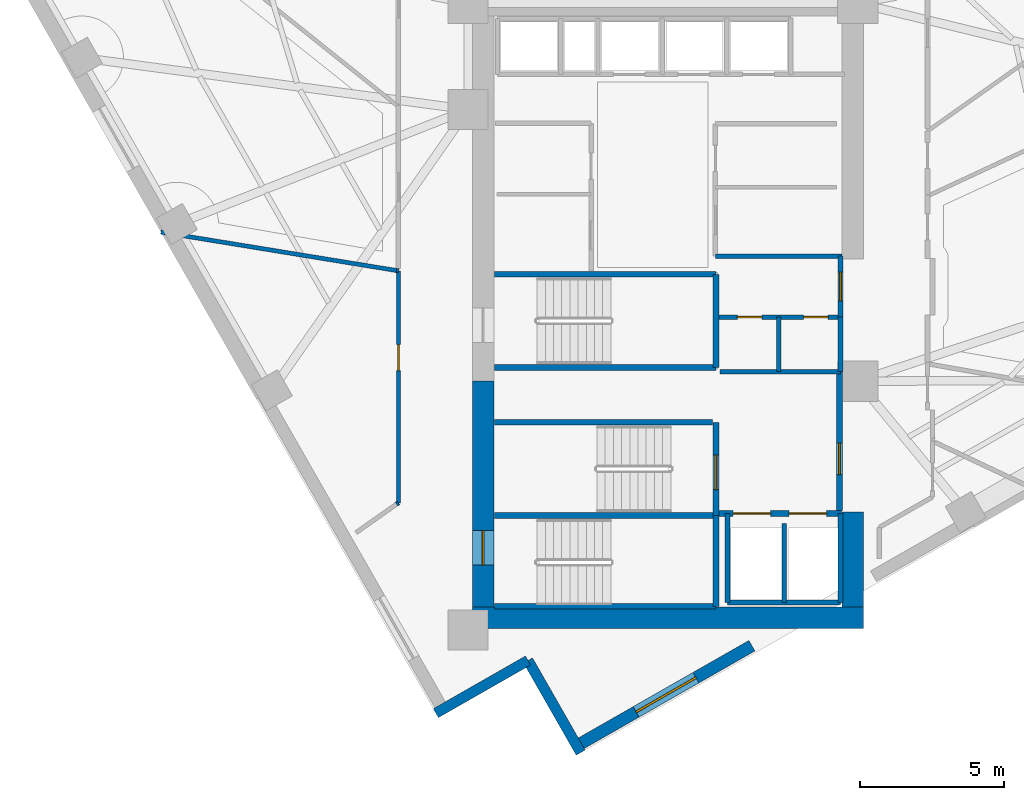
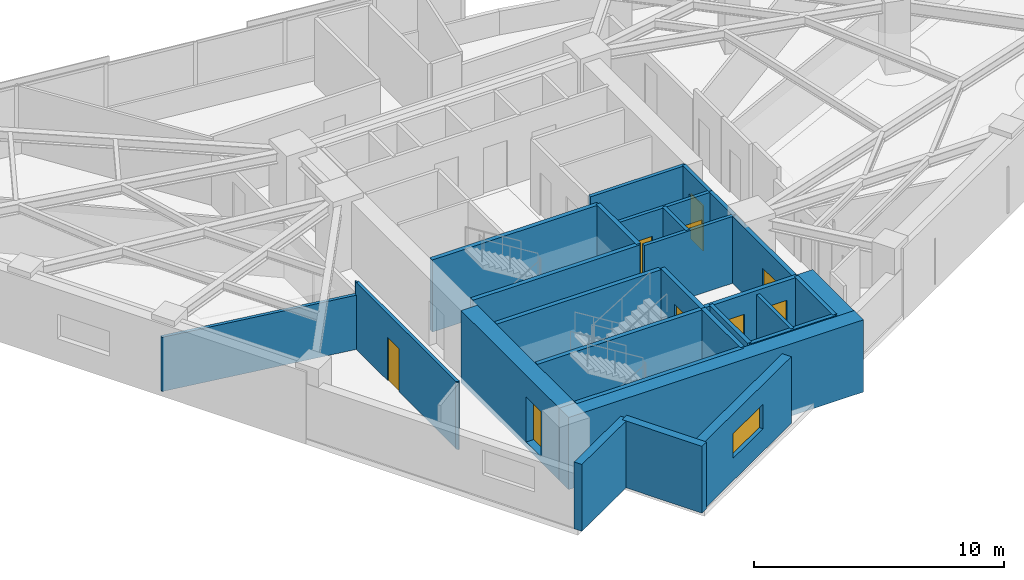
# One storey, part 9 of 14: 30 walls, 9 doors, 1 window, 10 openings.
"""IFC4 building model written with IfcOpenShell, lengths in metres."""

from ifc_helpers import new_model, si_unit, direction, frame, frame_2d, origin, place, context, subcontext, project, spatial, rectangle, extrude, material, layer, layer_set, type_object, element, fill, save


model = new_model("IFC4")

# Units and contexts
model_context = context("Model", 3, precision=1e-05, world=origin(), true_north=direction((0.0, 1.0)))
body_context = subcontext(model_context, "Body", "Model", "MODEL_VIEW")
ifc_project = project(units=[si_unit("LENGTHUNIT", "METRE"), si_unit("AREAUNIT", "SQUARE_METRE"), si_unit("VOLUMEUNIT", "CUBIC_METRE"), si_unit("PLANEANGLEUNIT", "RADIAN"), si_unit("MASSUNIT", "GRAM", prefix="KILO")], contexts=[model_context])

# Site, building, storey
site_placement = place(None, origin())
site = spatial("IfcSite", under=ifc_project, at=site_placement, CompositionType="ELEMENT")
building_placement = place(site_placement, origin())
building = spatial("IfcBuilding", under=site, at=building_placement, Name="Narakoshi Arena Tower", CompositionType="ELEMENT")
storey_placement = place(building_placement, frame((0.0, 0.0, 207.93994140625)))
storey = spatial("IfcBuildingStorey", under=building, at=storey_placement, Name="L56", CompositionType="ELEMENT", Elevation=207.93994140625)

# Wall, opening, door
ifc_material_1 = material(Name="Concrete C50/60", Category="concrete")
ifc_layer_1 = layer(ifc_material_1, 0.75)
ifc_layer_set_1 = layer_set([ifc_layer_1], Name="Concrete C50/60")
wall_type_1 = type_object("IfcWallType", Name="WL-CORE-750", PredefinedType="SHEAR", material=ifc_layer_set_1)
wall_1_placement = place(storey_placement, frame((72.52490234375, 35.5, -0.260009765625), z_axis=(0.0, 0.0, 1.0), x_axis=(0.0, 1.0, 0.0)))
wall_1 = element("IfcWall", 1, at=wall_1_placement, inside=storey, type_object=wall_type_1, Name="L56 Central Core Shear Wall CW-APX-W", PredefinedType="SHEAR", context=body_context, shape_type="SweptSolid", body=[
    extrude(rectangle(XDim=7.85009765625, YDim=0.75, at=frame_2d((3.925048828125, 0.0))), origin(), (0.0, 0.0, 1.0), 3.52001953125),
])
opening_1_placement = place(wall_1_placement, frame((1.449951171875, 0.0, 0.260009765625)))
opening_1 = element("IfcOpeningElement", 2, at=opening_1_placement, cuts=wall_1, Name="Opening D-03", PredefinedType="OPENING", context=body_context, shape_type="SweptSolid", body=[
    extrude(rectangle(XDim=1.199951171875, YDim=2.199951171875, at=frame_2d((0.60009765625, 1.10009765625))), frame((0.0, 0.385009765625, 0.0), z_axis=(0.0, -1.0, 0.0), x_axis=(1.0, 0.0, 0.0)), (0.0, 0.0, 1.0), 0.77001953125),
])
ifc_material_2 = material(Name="Painted galvanized steel", Category="steel")
door_type_1 = type_object("IfcDoorType", Name="DR-STR-1200", OperationType="NOTDEFINED", PredefinedType="USERDEFINED", material=ifc_material_2)
door_1_placement = place(opening_1_placement, frame((1.199951171875, 0.0, 0.0), z_axis=(0.0, 0.0, 1.0), x_axis=(-1.0, 0.0, 0.0)))
door_1 = element("IfcDoor", 3, at=door_1_placement, inside=storey, type_object=door_type_1, Name="DR-L56-001", ObjectType="EXITDOOR", OperationType="SINGLE_SWING_LEFT", OverallHeight=2.199951171875, OverallWidth=1.199951171875, PredefinedType="USERDEFINED", context=body_context, shape_type="SweptSolid", body=[
    extrude(rectangle(XDim=1.199951171875, YDim=2.199951171875, at=frame_2d((0.60009765625, 1.10009765625))), frame((0.0, 0.02490234375, 0.0), z_axis=(0.0, -1.0, 0.0), x_axis=(1.0, 0.0, 0.0)), (0.0, 0.0, 1.0), 0.050048828125),
])
fill(opening_1, door_1)

# Walls
wall_2_placement = place(storey_placement, frame((72.14990234375, 35.125, -0.260009765625), z_axis=(0.0, 0.0, 1.0), x_axis=(1.0, 0.0, 0.0)))
element("IfcWall", 4, at=wall_2_placement, inside=storey, type_object=wall_type_1, Name="L56 Central Core Shear Wall CW-APX-S", PredefinedType="SHEAR", context=body_context, shape_type="SweptSolid", body=[
    extrude(rectangle(XDim=13.60009765625, YDim=0.75, at=frame_2d((6.800048828125, 0.0))), origin(), (0.0, 0.0, 1.0), 3.52001953125),
])
wall_3_placement = place(storey_placement, frame((85.375, 35.5, -0.260009765625), z_axis=(0.0, 0.0, 1.0), x_axis=(0.0, 1.0, 0.0)))
element("IfcWall", 5, at=wall_3_placement, inside=storey, type_object=wall_type_1, Name="L56 Central Core Shear Wall CW-APX-E", PredefinedType="SHEAR", context=body_context, shape_type="SweptSolid", body=[
    extrude(rectangle(XDim=3.300048828125, YDim=0.75, at=frame_2d((1.64990234375, 0.0))), origin(), (0.0, 0.0, 1.0), 3.52001953125),
])

# Wall, opening, door
ifc_material_3 = material(Name="Gypsum plasterboard fire-rated partition")
ifc_layer_2 = layer(ifc_material_3, 0.1650390625)
ifc_layer_set_2 = layer_set([ifc_layer_2], Name="Gypsum plasterboard fire-rated partition")
wall_type_2 = type_object("IfcWallType", Name="WL-CORR-165", PredefinedType="PARTITIONING", material=ifc_layer_set_2)
wall_4_placement = place(storey_placement, frame((84.949951171875, 45.580078125, 0.0), z_axis=(0.0, 0.0, 1.0), x_axis=(0.0, 1.0, 0.0)))
wall_4 = element("IfcWall", 6, at=wall_4_placement, inside=storey, type_object=wall_type_2, Name="L56 Core Wall CPAS-E", PredefinedType="PARTITIONING", context=body_context, shape_type="SweptSolid", body=[
    extrude(rectangle(XDim=2.119873046875, YDim=0.1650390625, at=frame_2d((1.06005859375, 0.0))), origin(), (0.0, 0.0, 1.0), 3.260009765625),
])
opening_2_placement = place(wall_4_placement, frame((0.56005859375, 0.0, 0.0)))
opening_2 = element("IfcOpeningElement", 7, at=opening_2_placement, cuts=wall_4, Name="Opening D-06", PredefinedType="OPENING", context=body_context, shape_type="SweptSolid", body=[
    extrude(rectangle(XDim=1.0, YDim=2.199951171875, at=frame_2d((0.5, 1.10009765625))), frame((0.0, 0.092529296875, 0.0), z_axis=(0.0, -1.0, 0.0), x_axis=(1.0, 0.0, 0.0)), (0.0, 0.0, 1.0), 0.18505859375),
])
ifc_material_4 = material(Name="Stained oak solid-core timber", Category="wood")
door_type_2 = type_object("IfcDoorType", Name="DR-OFF-1000", OperationType="NOTDEFINED", PredefinedType="DOOR", material=ifc_material_4)
door_2_placement = place(opening_2_placement, frame((1.0, 0.0, 0.0), z_axis=(0.0, 0.0, 1.0), x_axis=(-1.0, 0.0, 0.0)))
door_2 = element("IfcDoor", 8, at=door_2_placement, inside=storey, type_object=door_type_2, Name="DR-L56-007", OperationType="SINGLE_SWING_LEFT", OverallHeight=2.199951171875, OverallWidth=1.0, PredefinedType="DOOR", context=body_context, shape_type="SweptSolid", body=[
    extrude(rectangle(XDim=1.0, YDim=2.199951171875, at=frame_2d((0.5, 1.10009765625))), frame((0.0, 0.02490234375, 0.0), z_axis=(0.0, -1.0, 0.0), x_axis=(1.0, 0.0, 0.0)), (0.0, 0.0, 1.0), 0.050048828125),
])
fill(opening_2, door_2)

# Wall, opening, window
ifc_material_5 = material(Name="Precast concrete C45/55", Category="concrete")
ifc_layer_3 = layer(ifc_material_5, 0.419921875)
ifc_layer_set_3 = layer_set([ifc_layer_3], Name="Precast concrete C45/55")
wall_type_3 = type_object("IfcWallType", Name="WL-POD-420", PredefinedType="SOLIDWALL", material=ifc_layer_set_3)
wall_5_placement = place(storey_placement, frame((75.779296875, 30.6689453125, 0.0), z_axis=(0.0, 0.0, 1.0), x_axis=(0.868213158215, 0.496191406519, 0.0)))
wall_5 = element("IfcWall", 9, at=wall_5_placement, inside=storey, type_object=wall_type_3, Name="L56 Architectural Concrete Facade Wall LEGA-1", PredefinedType="SOLIDWALL", context=body_context, shape_type="SweptSolid", body=[
    extrude(rectangle(XDim=7.015380859375, YDim=0.419921875, at=frame_2d((3.5078125, 0.0))), origin(), (0.0, 0.0, 1.0), 3.260009765625),
])
opening_3_placement = place(wall_5_placement, frame((2.376708984375, 0.0, 1.10009765625)))
opening_3 = element("IfcOpeningElement", 10, at=opening_3_placement, cuts=wall_5, Name="Opening WN-04", PredefinedType="OPENING", context=body_context, shape_type="SweptSolid", body=[
    extrude(rectangle(XDim=2.39990234375, YDim=1.199951171875, at=frame_2d((1.199951171875, 0.60009765625))), frame((0.0, 0.219970703125, 0.0), z_axis=(0.0, -1.0, 0.0), x_axis=(1.0, 0.0, 0.0)), (0.0, 0.0, 1.0), 0.43994140625),
])
ifc_material_6 = material(Name="Bronze-tinted low-E laminated glass", Category="glass")
window_type = type_object("IfcWindowType", Name="WIN-SLT-24x12", PartitioningType="SINGLE_PANEL", PredefinedType="WINDOW", material=ifc_material_6)
window_placement = place(opening_3_placement, origin())
window = element("IfcWindow", 11, at=window_placement, inside=storey, type_object=window_type, Name="L56 LEGA1 Horizontal Slot Window 1", OverallHeight=1.199951171875, OverallWidth=2.39990234375, PartitioningType="SINGLE_PANEL", PredefinedType="WINDOW", context=body_context, shape_type="SweptSolid", body=[
    extrude(rectangle(XDim=2.39990234375, YDim=1.199951171875, at=frame_2d((1.199951171875, 0.60009765625))), frame((0.0, 0.030029296875, 0.0), z_axis=(0.0, -1.0, 0.0), x_axis=(1.0, 0.0, 0.0)), (0.0, 0.0, 1.0), 0.06005859375),
])
fill(opening_3, window)

# Walls
for number, where, z_axis, x_axis, name in (
    (12, (70.87841796875, 31.803466796875, 0.0), (0.0, 0.0, 1.0), (0.868194304946, 0.496224393656, 0.0), "L56 Re-Entrant Corner Notch Wall NTA-1"),
    (13, (74.083740234375, 33.635498046875, 0.0), (0.0, 0.0, 1.0), (0.496224393656, -0.868194304946, 0.0), "L56 Re-Entrant Corner Notch Wall NTA-2"),
):
    element("IfcWall", number, at=place(storey_placement, frame(where, z_axis=z_axis, x_axis=x_axis)), inside=storey, type_object=wall_type_3, Name=name, PredefinedType="SOLIDWALL", context=body_context, shape_type="SweptSolid", body=[
        extrude(rectangle(XDim=3.69189453125, YDim=0.360107421875, at=frame_2d((1.845947265625, 0.0))), origin(), (0.0, 0.0, 1.0), 3.260009765625),
    ])
ifc_material_7 = material(Name="Concrete C40/50", Category="concrete")
ifc_layer_4 = layer(ifc_material_7, 0.280029296875)
ifc_layer_set_4 = layer_set([ifc_layer_4], Name="Concrete C40/50")
wall_type_4 = type_object("IfcWallType", Name="WL-RISER-280", PredefinedType="PLUMBINGWALL", material=ifc_layer_set_4)
wall_6_placement = place(storey_placement, frame((83.0, 35.64990234375, 0.0), z_axis=(0.0, 0.0, 1.0), x_axis=(0.0, 1.0, 0.0)))
element("IfcWall", 14, at=wall_6_placement, inside=storey, type_object=wall_type_4, Name="L56 Core Wall FF-DIV", PredefinedType="PLUMBINGWALL", context=body_context, shape_type="SweptSolid", body=[
    extrude(rectangle(XDim=2.75, YDim=0.159912109375, at=frame_2d((1.375, 0.0))), origin(), (0.0, 0.0, 1.0), 3.260009765625),
])
wall_7_placement = place(storey_placement, frame((84.949951171875, 43.679931640625, 0.0), z_axis=(0.0, 0.0, 1.0), x_axis=(0.0, 1.0, 0.0)))
element("IfcWall", 15, at=wall_7_placement, inside=storey, type_object=wall_type_4, Name="L56 Core Wall RSR-E", PredefinedType="PLUMBINGWALL", context=body_context, shape_type="SweptSolid", body=[
    extrude(rectangle(XDim=1.900146484375, YDim=0.1650390625, at=frame_2d((0.9501953125, 0.0))), origin(), (0.0, 0.0, 1.0), 3.260009765625),
])

# Wall, openings, doors
wall_8_placement = place(storey_placement, frame((80.719970703125, 45.580078125, 0.0), z_axis=(0.0, 0.0, 1.0), x_axis=(1.0, 0.0, 0.0)))
wall_8 = element("IfcWall", 16, at=wall_8_placement, inside=storey, type_object=wall_type_4, Name="L56 Core Wall RSR-N", PredefinedType="PLUMBINGWALL", context=body_context, shape_type="SweptSolid", body=[
    extrude(rectangle(XDim=4.22998046875, YDim=0.159912109375, at=frame_2d((2.114990234375, 0.0))), origin(), (0.0, 0.0, 1.0), 3.260009765625),
])
opening_4_placement = place(wall_8_placement, frame((0.64990234375, 0.0, 0.0)))
opening_4 = element("IfcOpeningElement", 17, at=opening_4_placement, cuts=wall_8, Name="Opening D-10", PredefinedType="OPENING", context=body_context, shape_type="SweptSolid", body=[
    extrude(rectangle(XDim=0.85009765625, YDim=2.050048828125, at=frame_2d((0.425048828125, 1.02490234375))), frame((0.0, 0.08984375, 0.0), z_axis=(0.0, -1.0, 0.0), x_axis=(1.0, 0.0, 0.0)), (0.0, 0.0, 1.0), 0.179931640625),
])
opening_5_placement = place(wall_8_placement, frame((2.949951171875, 0.0, 0.0)))
opening_5 = element("IfcOpeningElement", 18, at=opening_5_placement, cuts=wall_8, Name="Opening D-10", PredefinedType="OPENING", context=body_context, shape_type="SweptSolid", body=[
    extrude(rectangle(XDim=0.85009765625, YDim=2.050048828125, at=frame_2d((0.425048828125, 1.02490234375))), frame((0.0, 0.08984375, 0.0), z_axis=(0.0, -1.0, 0.0), x_axis=(1.0, 0.0, 0.0)), (0.0, 0.0, 1.0), 0.179931640625),
])
door_type_3 = type_object("IfcDoorType", Name="DR-RSR-850", OperationType="NOTDEFINED", PredefinedType="DOOR", material=ifc_material_2)
door_3_placement = place(opening_4_placement, frame((0.85009765625, 0.0, 0.0), z_axis=(0.0, 0.0, 1.0), x_axis=(-1.0, 0.0, 0.0)))
door_3 = element("IfcDoor", 19, at=door_3_placement, inside=storey, type_object=door_type_3, Name="DR-L56-008", OperationType="SINGLE_SWING_LEFT", OverallHeight=2.050048828125, OverallWidth=0.85009765625, PredefinedType="DOOR", context=body_context, shape_type="SweptSolid", body=[
    extrude(rectangle(XDim=0.85009765625, YDim=2.050048828125, at=frame_2d((0.425048828125, 1.02490234375))), frame((0.0, 0.02490234375, 0.0), z_axis=(0.0, -1.0, 0.0), x_axis=(1.0, 0.0, 0.0)), (0.0, 0.0, 1.0), 0.050048828125),
])
fill(opening_4, door_3)
door_4_placement = place(opening_5_placement, frame((0.85009765625, 0.0, 0.0), z_axis=(0.0, 0.0, 1.0), x_axis=(-1.0, 0.0, 0.0)))
door_4 = element("IfcDoor", 20, at=door_4_placement, inside=storey, type_object=door_type_3, Name="DR-L56-009", OperationType="SINGLE_SWING_RIGHT", OverallHeight=2.050048828125, OverallWidth=0.85009765625, PredefinedType="DOOR", context=body_context, shape_type="SweptSolid", body=[
    extrude(rectangle(XDim=0.85009765625, YDim=2.050048828125, at=frame_2d((0.425048828125, 1.02490234375))), frame((0.0, 0.02490234375, 0.0), z_axis=(0.0, -1.0, 0.0), x_axis=(1.0, 0.0, 0.0)), (0.0, 0.0, 1.0), 0.050048828125),
])
fill(opening_5, door_4)

# Walls
wall_9_placement = place(storey_placement, frame((80.760009765625, 43.679931640625, 0.0), z_axis=(0.0, 0.0, 1.0), x_axis=(1.0, 0.0, 0.0)))
element("IfcWall", 21, at=wall_9_placement, inside=storey, type_object=wall_type_4, Name="L56 Core Wall RSR-S", PredefinedType="PLUMBINGWALL", context=body_context, shape_type="SweptSolid", body=[
    extrude(rectangle(XDim=4.18994140625, YDim=0.159912109375, at=frame_2d((2.094970703125, 0.0))), origin(), (0.0, 0.0, 1.0), 3.260009765625),
])
wall_10_placement = place(storey_placement, frame((82.800048828125, 43.679931640625, 0.0), z_axis=(0.0, 0.0, 1.0), x_axis=(0.0, 1.0, 0.0)))
element("IfcWall", 22, at=wall_10_placement, inside=storey, type_object=wall_type_4, Name="L56 Core Wall RSR-M", PredefinedType="PLUMBINGWALL", context=body_context, shape_type="SweptSolid", body=[
    extrude(rectangle(XDim=1.900146484375, YDim=0.159912109375, at=frame_2d((0.9501953125, 0.0))), origin(), (0.0, 0.0, 1.0), 3.260009765625),
])
ifc_layer_5 = layer(ifc_material_1, 0.35009765625)
ifc_layer_set_5 = layer_set([ifc_layer_5], Name="Concrete C50/60")
wall_type_5 = type_object("IfcWallType", Name="WL-SHAFT-350", PredefinedType="SOLIDWALL", material=ifc_layer_set_5)
for number, where, z_axis, x_axis, name in (
    (23, (72.919921875, 35.52001953125, -0.260009765625), (0.0, 0.0, 1.0), (1.0, 0.0, 0.0), "L56 Core Wall ST1-S"),
    (24, (72.919921875, 38.675048828125, -0.260009765625), (0.0, 0.0, 1.0), (1.0, 0.0, 0.0), "L56 Core Wall ST12-DIV"),
):
    element("IfcWall", number, at=place(storey_placement, frame(where, z_axis=z_axis, x_axis=x_axis)), inside=storey, type_object=wall_type_5, Name=name, PredefinedType="SOLIDWALL", context=body_context, shape_type="SweptSolid", body=[
        extrude(rectangle(XDim=7.7001953125, YDim=0.199951171875, at=frame_2d((3.85009765625, 0.0))), origin(), (0.0, 0.0, 1.0), 3.52001953125),
    ])
wall_11_placement = place(storey_placement, frame((80.6201171875, 35.52001953125, -0.260009765625), z_axis=(0.0, 0.0, 1.0), x_axis=(0.0, 1.0, 0.0)))
element("IfcWall", 25, at=wall_11_placement, inside=storey, type_object=wall_type_5, Name="L56 Core Wall ST1-E", PredefinedType="SOLIDWALL", context=body_context, shape_type="SweptSolid", body=[
    extrude(rectangle(XDim=3.155029296875, YDim=0.199951171875, at=frame_2d((1.57763671875, 0.0))), origin(), (0.0, 0.0, 1.0), 3.52001953125),
])

# Wall, opening, door
wall_12_placement = place(storey_placement, frame((80.6201171875, 38.675048828125, -0.260009765625), z_axis=(0.0, 0.0, 1.0), x_axis=(0.0, 1.0, 0.0)))
wall_12 = element("IfcWall", 26, at=wall_12_placement, inside=storey, type_object=wall_type_5, Name="L56 Core Wall ST2-E", PredefinedType="SOLIDWALL", context=body_context, shape_type="SweptSolid", body=[
    extrude(rectangle(XDim=3.244873046875, YDim=0.199951171875, at=frame_2d((1.62255859375, 0.0))), origin(), (0.0, 0.0, 1.0), 3.52001953125),
])
opening_6_placement = place(wall_12_placement, frame((0.89990234375, 0.0, 0.260009765625)))
opening_6 = element("IfcOpeningElement", 27, at=opening_6_placement, cuts=wall_12, Name="Opening D-03", PredefinedType="OPENING", context=body_context, shape_type="SweptSolid", body=[
    extrude(rectangle(XDim=1.199951171875, YDim=2.199951171875, at=frame_2d((0.60009765625, 1.10009765625))), frame((0.0, 0.10986328125, 0.0), z_axis=(0.0, -1.0, 0.0), x_axis=(1.0, 0.0, 0.0)), (0.0, 0.0, 1.0), 0.219970703125),
])
door_5_placement = place(opening_6_placement, origin())
door_5 = element("IfcDoor", 28, at=door_5_placement, inside=storey, type_object=door_type_1, Name="DR-L56-002", ObjectType="EXITDOOR", OperationType="SINGLE_SWING_RIGHT", OverallHeight=2.199951171875, OverallWidth=1.199951171875, PredefinedType="USERDEFINED", context=body_context, shape_type="SweptSolid", body=[
    extrude(rectangle(XDim=1.199951171875, YDim=2.199951171875, at=frame_2d((0.60009765625, 1.10009765625))), frame((0.0, 0.02490234375, 0.0), z_axis=(0.0, -1.0, 0.0), x_axis=(1.0, 0.0, 0.0)), (0.0, 0.0, 1.0), 0.050048828125),
])
fill(opening_6, door_5)

# Wall, openings, doors
wall_13_placement = place(storey_placement, frame((80.719970703125, 38.75, 0.0), z_axis=(0.0, 0.0, 1.0), x_axis=(1.0, 0.0, 0.0)))
wall_13 = element("IfcWall", 29, at=wall_13_placement, inside=storey, type_object=wall_type_5, Name="L56 Core Wall FF-N", PredefinedType="SOLIDWALL", context=body_context, shape_type="SweptSolid", body=[
    extrude(rectangle(XDim=4.260009765625, YDim=0.199951171875, at=frame_2d((2.1298828125, 0.0))), origin(), (0.0, 0.0, 1.0), 3.260009765625),
])
opening_7_placement = place(wall_13_placement, frame((0.5, 0.0, 0.0)))
opening_7 = element("IfcOpeningElement", 30, at=opening_7_placement, cuts=wall_13, Name="Opening LD-02", PredefinedType="OPENING", context=body_context, shape_type="SweptSolid", body=[
    extrude(rectangle(XDim=1.300048828125, YDim=2.300048828125, at=frame_2d((0.64990234375, 1.14990234375))), frame((0.0, 0.10986328125, 0.0), z_axis=(0.0, -1.0, 0.0), x_axis=(1.0, 0.0, 0.0)), (0.0, 0.0, 1.0), 0.219970703125),
])
opening_8_placement = place(wall_13_placement, frame((2.449951171875, 0.0, 0.0)))
opening_8 = element("IfcOpeningElement", 31, at=opening_8_placement, cuts=wall_13, Name="Opening LD-02", PredefinedType="OPENING", context=body_context, shape_type="SweptSolid", body=[
    extrude(rectangle(XDim=1.300048828125, YDim=2.300048828125, at=frame_2d((0.64990234375, 1.14990234375))), frame((0.0, 0.10986328125, 0.0), z_axis=(0.0, -1.0, 0.0), x_axis=(1.0, 0.0, 0.0)), (0.0, 0.0, 1.0), 0.219970703125),
])
ifc_material_8 = material(Name="Brushed bronze stainless steel", Category="steel")
door_type_4 = type_object("IfcDoorType", Name="DR-LFT-1300", OperationType="DOUBLE_DOOR_SLIDING", PredefinedType="DOOR", material=ifc_material_8)
door_6_placement = place(opening_7_placement, origin())
door_6 = element("IfcDoor", 32, at=door_6_placement, inside=storey, type_object=door_type_4, Name="DR-L56-003", OperationType="DOUBLE_DOOR_SLIDING", OverallHeight=2.300048828125, OverallWidth=1.300048828125, PredefinedType="DOOR", context=body_context, shape_type="SweptSolid", body=[
    extrude(rectangle(XDim=1.300048828125, YDim=2.300048828125, at=frame_2d((0.64990234375, 1.14990234375))), frame((0.0, 0.02490234375, 0.0), z_axis=(0.0, -1.0, 0.0), x_axis=(1.0, 0.0, 0.0)), (0.0, 0.0, 1.0), 0.050048828125),
])
fill(opening_7, door_6)
door_7_placement = place(opening_8_placement, origin())
door_7 = element("IfcDoor", 33, at=door_7_placement, inside=storey, type_object=door_type_4, Name="DR-L56-004", OperationType="DOUBLE_DOOR_SLIDING", OverallHeight=2.300048828125, OverallWidth=1.300048828125, PredefinedType="DOOR", context=body_context, shape_type="SweptSolid", body=[
    extrude(rectangle(XDim=1.300048828125, YDim=2.300048828125, at=frame_2d((0.64990234375, 1.14990234375))), frame((0.0, 0.02490234375, 0.0), z_axis=(0.0, -1.0, 0.0), x_axis=(1.0, 0.0, 0.0)), (0.0, 0.0, 1.0), 0.050048828125),
])
fill(opening_8, door_7)

# Walls
for number, where, z_axis, x_axis, name in (
    (34, (84.949951171875, 35.64990234375, 0.0), (0.0, 0.0, 1.0), (0.0, 1.0, 0.0), "L56 Core Wall FF-E"),
    (35, (81.02001953125, 35.64990234375, 0.0), (0.0, 0.0, 1.0), (0.0, 1.0, 0.0), "L56 Core Wall FF-W"),
):
    element("IfcWall", number, at=place(storey_placement, frame(where, z_axis=z_axis, x_axis=x_axis)), inside=storey, type_object=wall_type_5, Name=name, PredefinedType="SOLIDWALL", context=body_context, shape_type="SweptSolid", body=[
        extrude(rectangle(XDim=3.10009765625, YDim=0.179931640625, at=frame_2d((1.550048828125, 0.0))), origin(), (0.0, 0.0, 1.0), 3.260009765625),
    ])
wall_14_placement = place(storey_placement, frame((81.02001953125, 35.64990234375, 0.0), z_axis=(0.0, 0.0, 1.0), x_axis=(1.0, 0.0, 0.0)))
element("IfcWall", 36, at=wall_14_placement, inside=storey, type_object=wall_type_5, Name="L56 Core Wall FF-S", PredefinedType="SOLIDWALL", context=body_context, shape_type="SweptSolid", body=[
    extrude(rectangle(XDim=3.929931640625, YDim=0.179931640625, at=frame_2d((1.96484375, 0.0))), origin(), (0.0, 0.0, 1.0), 3.260009765625),
])

# Wall, opening, door
wall_15_placement = place(storey_placement, frame((84.919921875, 38.85009765625, 0.0), z_axis=(0.0, 0.0, 1.0), x_axis=(0.0, 1.0, 0.0)))
wall_15 = element("IfcWall", 37, at=wall_15_placement, inside=storey, type_object=wall_type_5, Name="L56 Core Wall FFLOB-E", PredefinedType="SOLIDWALL", context=body_context, shape_type="SweptSolid", body=[
    extrude(rectangle(XDim=4.829833984375, YDim=0.199951171875, at=frame_2d((2.4150390625, 0.0))), origin(), (0.0, 0.0, 1.0), 3.260009765625),
])
opening_9_placement = place(wall_15_placement, frame((1.25, 0.0, 0.0)))
opening_9 = element("IfcOpeningElement", 38, at=opening_9_placement, cuts=wall_15, Name="Opening D-04", PredefinedType="OPENING", context=body_context, shape_type="SweptSolid", body=[
    extrude(rectangle(XDim=1.10009765625, YDim=2.199951171875, at=frame_2d((0.550048828125, 1.10009765625))), frame((0.0, 0.10986328125, 0.0), z_axis=(0.0, -1.0, 0.0), x_axis=(1.0, 0.0, 0.0)), (0.0, 0.0, 1.0), 0.219970703125),
])
door_type_5 = type_object("IfcDoorType", Name="DR-FFL-1100", OperationType="NOTDEFINED", PredefinedType="DOOR", material=ifc_material_2)
door_8_placement = place(opening_9_placement, frame((1.10009765625, 0.0, 0.0), z_axis=(0.0, 0.0, 1.0), x_axis=(-1.0, 0.0, 0.0)))
door_8 = element("IfcDoor", 39, at=door_8_placement, inside=storey, type_object=door_type_5, Name="DR-L56-005", OperationType="SINGLE_SWING_RIGHT", OverallHeight=2.199951171875, OverallWidth=1.10009765625, PredefinedType="DOOR", context=body_context, shape_type="SweptSolid", body=[
    extrude(rectangle(XDim=1.10009765625, YDim=2.199951171875, at=frame_2d((0.550048828125, 1.10009765625))), frame((0.0, 0.02490234375, 0.0), z_axis=(0.0, -1.0, 0.0), x_axis=(1.0, 0.0, 0.0)), (0.0, 0.0, 1.0), 0.050048828125),
])
fill(opening_9, door_8)

# Walls
wall_16_placement = place(storey_placement, frame((72.919921875, 41.919921875, -0.260009765625), z_axis=(0.0, 0.0, 1.0), x_axis=(1.0, 0.0, 0.0)))
element("IfcWall", 40, at=wall_16_placement, inside=storey, type_object=wall_type_5, Name="L56 Core Wall ST2-N", PredefinedType="SOLIDWALL", context=body_context, shape_type="SweptSolid", body=[
    extrude(rectangle(XDim=7.580078125, YDim=0.199951171875, at=frame_2d((3.7900390625, 0.0))), origin(), (0.0, 0.0, 1.0), 3.52001953125),
])
for number, where, z_axis, x_axis, name in (
    (41, (72.919921875, 43.830078125, -0.260009765625), (0.0, 0.0, 1.0), (1.0, 0.0, 0.0), "L56 Core Wall ST3-S"),
    (42, (72.919921875, 47.070068359375, -0.260009765625), (0.0, 0.0, 1.0), (1.0, 0.0, 0.0), "L56 Core Wall ST3-N"),
):
    element("IfcWall", number, at=place(storey_placement, frame(where, z_axis=z_axis, x_axis=x_axis)), inside=storey, type_object=wall_type_5, Name=name, PredefinedType="SOLIDWALL", context=body_context, shape_type="SweptSolid", body=[
        extrude(rectangle(XDim=7.7001953125, YDim=0.199951171875, at=frame_2d((3.85009765625, 0.0))), origin(), (0.0, 0.0, 1.0), 3.52001953125),
    ])
wall_17_placement = place(storey_placement, frame((80.6201171875, 43.830078125, -0.260009765625), z_axis=(0.0, 0.0, 1.0), x_axis=(0.0, 1.0, 0.0)))
element("IfcWall", 43, at=wall_17_placement, inside=storey, type_object=wall_type_5, Name="L56 Core Wall ST3-E", PredefinedType="SOLIDWALL", context=body_context, shape_type="SweptSolid", body=[
    extrude(rectangle(XDim=3.239990234375, YDim=0.199951171875, at=frame_2d((1.6201171875, 0.0))), origin(), (0.0, 0.0, 1.0), 3.52001953125),
])
wall_18_placement = place(storey_placement, frame((80.60009765625, 47.699951171875, 0.0), z_axis=(0.0, 0.0, 1.0), x_axis=(1.0, 0.0, 0.0)))
element("IfcWall", 44, at=wall_18_placement, inside=storey, type_object=wall_type_5, Name="L56 Core Wall MR-S", PredefinedType="SOLIDWALL", context=body_context, shape_type="SweptSolid", body=[
    extrude(rectangle(XDim=4.39990234375, YDim=0.159912109375, at=frame_2d((2.199951171875, 0.0))), origin(), (0.0, 0.0, 1.0), 3.260009765625),
])

# Wall, opening, door
ifc_material_9 = material(Name="Moisture-resistant cement-board partition")
ifc_layer_6 = layer(ifc_material_9, 0.14501953125)
ifc_layer_set_6 = layer_set([ifc_layer_6], Name="Moisture-resistant cement-board partition")
wall_type_6 = type_object("IfcWallType", Name="WL-WET-145", PredefinedType="PARTITIONING", material=ifc_layer_set_6)
wall_19_placement = place(storey_placement, frame((69.573486328125, 47.189697265625, 0.0), z_axis=(0.0, 0.0, 1.0), x_axis=(0.0, -1.0, 0.0)))
wall_19 = element("IfcWall", 45, at=wall_19_placement, inside=storey, type_object=wall_type_6, Name="L56 Corridor Partition 01-1", PredefinedType="PARTITIONING", context=body_context, shape_type="SweptSolid", body=[
    extrude(rectangle(XDim=8.071533203125, YDim=0.14501953125, at=frame_2d((4.03564453125, 0.0))), origin(), (0.0, 0.0, 1.0), 3.260009765625),
])
opening_10_placement = place(wall_19_placement, frame((2.570068359375, 0.0, 0.0)))
opening_10 = element("IfcOpeningElement", 46, at=opening_10_placement, cuts=wall_19, Name="Opening D-08", PredefinedType="OPENING", context=body_context, shape_type="SweptSolid", body=[
    extrude(rectangle(XDim=0.89990234375, YDim=2.10009765625, at=frame_2d((0.449951171875, 1.050048828125))), frame((0.0, 0.08251953125, 0.0), z_axis=(0.0, -1.0, 0.0), x_axis=(1.0, 0.0, 0.0)), (0.0, 0.0, 1.0), 0.1650390625),
])
ifc_material_10 = material(Name="Moisture-resistant laminate timber", Category="wood")
door_type_6 = type_object("IfcDoorType", Name="DR-WC-900", OperationType="NOTDEFINED", PredefinedType="DOOR", material=ifc_material_10)
door_9_placement = place(opening_10_placement, frame((0.89990234375, 0.0, 0.0), z_axis=(0.0, 0.0, 1.0), x_axis=(-1.0, 0.0, 0.0)))
door_9 = element("IfcDoor", 47, at=door_9_placement, inside=storey, type_object=door_type_6, Name="DR-L56-017", OperationType="SINGLE_SWING_RIGHT", OverallHeight=2.10009765625, OverallWidth=0.89990234375, PredefinedType="DOOR", context=body_context, shape_type="SweptSolid", body=[
    extrude(rectangle(XDim=0.89990234375, YDim=2.10009765625, at=frame_2d((0.449951171875, 1.050048828125))), frame((0.0, 0.02490234375, 0.0), z_axis=(0.0, -1.0, 0.0), x_axis=(1.0, 0.0, 0.0)), (0.0, 0.0, 1.0), 0.050048828125),
])
fill(opening_10, door_9)

# Walls
wall_20_placement = place(storey_placement, frame((69.573486328125, 39.1181640625, 0.0), z_axis=(0.0, 0.0, 1.0), x_axis=(-0.816875450408, -0.576814093553, 0.0)))
element("IfcWall", 48, at=wall_20_placement, inside=storey, type_object=wall_type_6, Name="L56 Corridor Partition 01-2", PredefinedType="PARTITIONING", context=body_context, shape_type="SweptSolid", body=[
    extrude(rectangle(XDim=0.0732421875, YDim=0.14501953125, at=frame_2d((0.03662109375, 0.0))), origin(), (0.0, 0.0, 1.0), 3.260009765625),
])
wall_21_placement = place(storey_placement, frame((69.513671875, 47.2001953125, 0.0), z_axis=(0.0, 0.0, 1.0), x_axis=(0.984945018138, -0.172867901143, 0.0)))
element("IfcWall", 49, at=wall_21_placement, inside=storey, type_object=wall_type_6, Name="L56 Corridor Partition 01-3", PredefinedType="PARTITIONING", context=body_context, shape_type="SweptSolid", body=[
    extrude(rectangle(XDim=0.060791015625, YDim=0.14501953125, at=frame_2d((0.0302734375, 0.0))), origin(), (0.0, 0.0, 1.0), 3.260009765625),
])
wall_22_placement = place(storey_placement, frame((61.3154296875, 48.535400390625, 0.0), z_axis=(0.0, 0.0, 1.0), x_axis=(0.986985580166, -0.160808782545, 0.0)))
element("IfcWall", 50, at=wall_22_placement, inside=storey, type_object=wall_type_6, Name="L56 Inter-Room Partition 01-08", PredefinedType="PARTITIONING", context=body_context, shape_type="SweptSolid", body=[
    extrude(rectangle(XDim=8.30615234375, YDim=0.14501953125, at=frame_2d((4.153076171875, 0.0))), origin(), (0.0, 0.0, 1.0), 2.64501953125),
])

save(model, "model.ifc")
